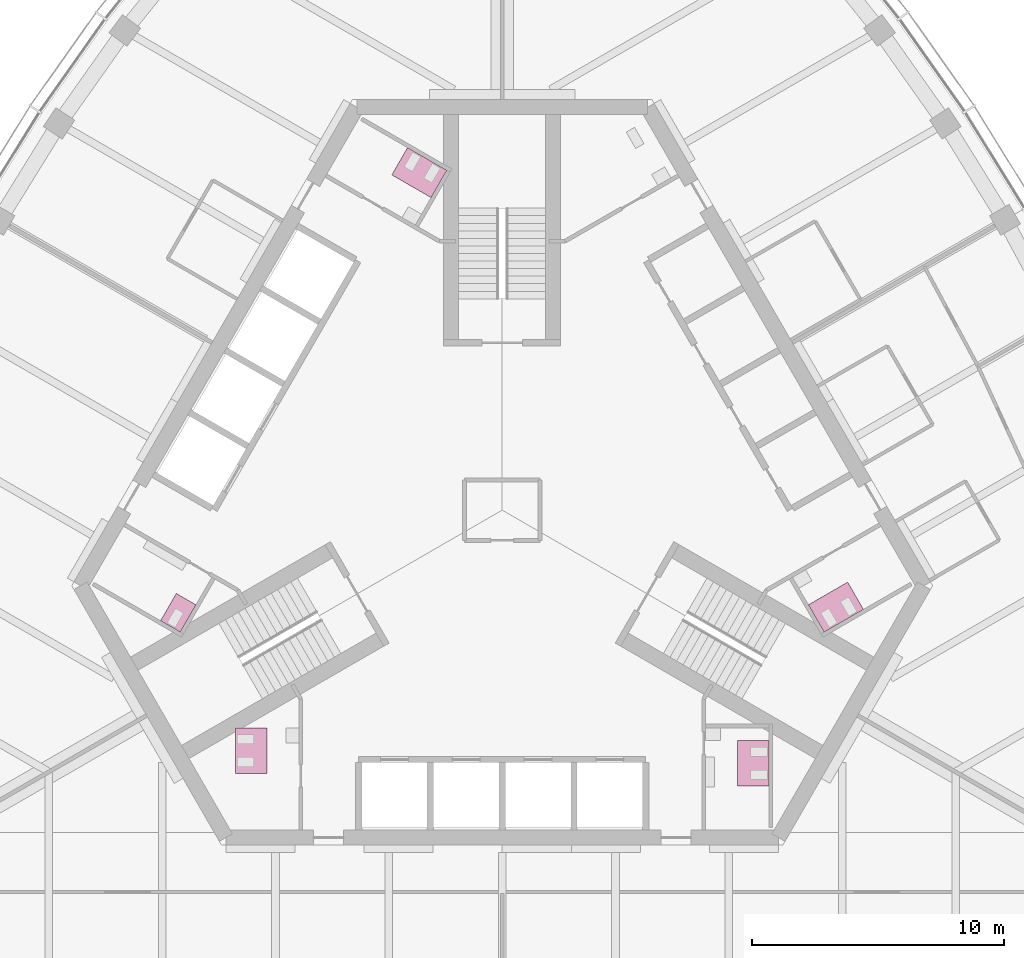
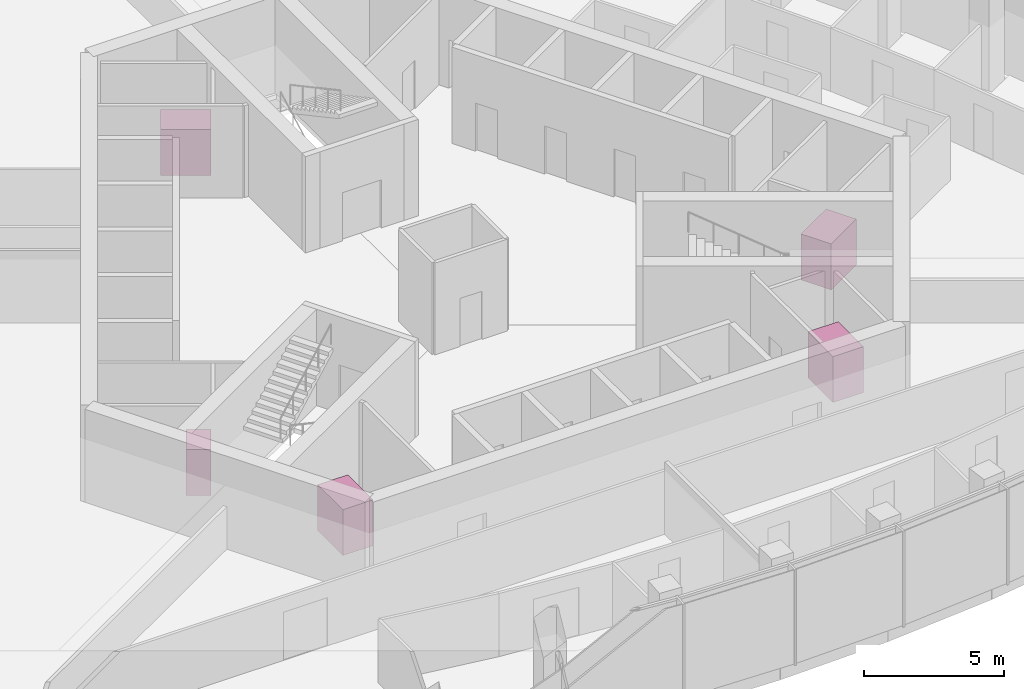
# One storey, part 16 of 16: 5 furniture elements.
"""IFC4 building model written with IfcOpenShell, lengths in metres."""

from ifc_helpers import new_model, si_unit, direction, frame, origin, place, context, subcontext, project, spatial, polyline, outline, extrude, material, type_object, element, save


model = new_model("IFC4")

# Units and contexts
model_context = context("Model", 3, precision=1e-05, world=origin(), true_north=direction((0.0, 1.0)))
body_context = subcontext(model_context, "Body", "Model", "MODEL_VIEW")
ifc_project = project(units=[si_unit("LENGTHUNIT", "METRE"), si_unit("AREAUNIT", "SQUARE_METRE"), si_unit("VOLUMEUNIT", "CUBIC_METRE"), si_unit("PLANEANGLEUNIT", "RADIAN"), si_unit("MASSUNIT", "GRAM", prefix="KILO")], contexts=[model_context])

# Site, building, storey
site_placement = place(None, origin())
site = spatial("IfcSite", under=ifc_project, at=site_placement, CompositionType="ELEMENT")
building_placement = place(site_placement, origin())
building = spatial("IfcBuilding", under=site, at=building_placement, Name="Trefoil Bronze Tower", CompositionType="ELEMENT")
storey_placement = place(building_placement, frame((0.0, 0.0, 318.300048828125)))
storey = spatial("IfcBuildingStorey", under=building, at=storey_placement, Name="L73", CompositionType="ELEMENT", Elevation=318.300048828125)

# Furniture
ifc_material_1 = material(Name="Compact laminate cubicles", Category="plastic")
furniture_type_1 = type_object("IfcFurnitureType", Name="WC cubicle range 1 cubicles", AssemblyPlace="FACTORY", PredefinedType="USERDEFINED", material=ifc_material_1)
furniture_1_placement = place(storey_placement, origin())
element("IfcFurniture", 1, at=furniture_1_placement, inside=storey, type_object=furniture_type_1, Name="WC cubicle range WC (men) L73", ObjectType="WC cubicle range", PredefinedType="USERDEFINED", context=body_context, shape_type="SweptSolid", body=[
    extrude(outline(polyline([(-12.15869140625, -3.75927734375), (-12.78369140625, -4.841796875), (-13.56298828125, -4.391845703125), (-12.93798828125, -3.309326171875), (-12.15869140625, -3.75927734375)])), origin(), (0.0, 0.0, 1.0), 2.0),
])
ifc_material_2 = material(Name="Compact laminate cubicles", Category="plastic")
furniture_type_2 = type_object("IfcFurnitureType", Name="WC cubicle range 2 cubicles", AssemblyPlace="FACTORY", PredefinedType="USERDEFINED", material=ifc_material_2)
furniture_2_placement = place(storey_placement, origin())
element("IfcFurniture", 2, at=furniture_2_placement, inside=storey, type_object=furniture_type_2, Name="WC cubicle range WC (men) L73", ObjectType="WC cubicle range", PredefinedType="USERDEFINED", context=body_context, shape_type="SweptSolid", body=[
    extrude(outline(polyline([(9.3349609375, -9.14990234375), (10.5849609375, -9.14990234375), (10.5849609375, -10.949951171875), (9.3349609375, -10.949951171875), (9.3349609375, -9.14990234375)])), origin(), (0.0, 0.0, 1.0), 2.0),
])
furniture_3_placement = place(storey_placement, origin())
element("IfcFurniture", 3, at=furniture_3_placement, inside=storey, type_object=furniture_type_2, Name="WC cubicle range WC (women) L73", ObjectType="WC cubicle range", PredefinedType="USERDEFINED", context=body_context, shape_type="SweptSolid", body=[
    extrude(outline(polyline([(12.15869140625, -3.75927734375), (12.78369140625, -4.841796875), (14.342529296875, -3.94189453125), (13.717529296875, -2.859375), (12.15869140625, -3.75927734375)])), origin(), (0.0, 0.0, 1.0), 2.0),
])
furniture_4_placement = place(storey_placement, origin())
element("IfcFurniture", 4, at=furniture_4_placement, inside=storey, type_object=furniture_type_2, Name="WC cubicle range WC (women) L73", ObjectType="WC cubicle range", PredefinedType="USERDEFINED", context=body_context, shape_type="SweptSolid", body=[
    extrude(outline(polyline([(-2.82373046875, 12.409423828125), (-2.19873046875, 13.491943359375), (-3.757568359375, 14.391845703125), (-4.382568359375, 13.309326171875), (-2.82373046875, 12.409423828125)])), origin(), (0.0, 0.0, 1.0), 2.0),
])
furniture_5_placement = place(storey_placement, origin())
element("IfcFurniture", 5, at=furniture_5_placement, inside=storey, type_object=furniture_type_2, Name="WC cubicle range WC (women) L73", ObjectType="WC cubicle range", PredefinedType="USERDEFINED", context=body_context, shape_type="SweptSolid", body=[
    extrude(outline(polyline([(-9.3349609375, -8.64990234375), (-10.5849609375, -8.64990234375), (-10.5849609375, -10.449951171875), (-9.3349609375, -10.449951171875), (-9.3349609375, -8.64990234375)])), origin(), (0.0, 0.0, 1.0), 2.0),
])

save(model, "model.ifc")
